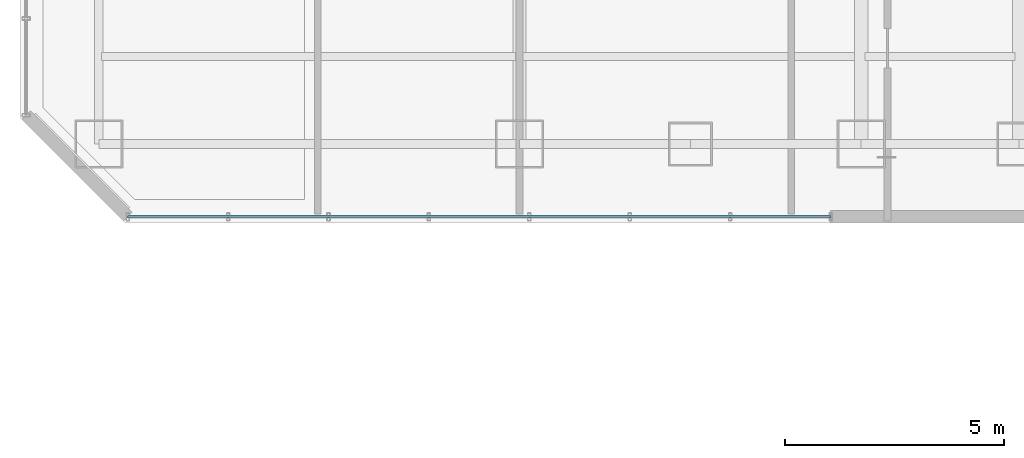
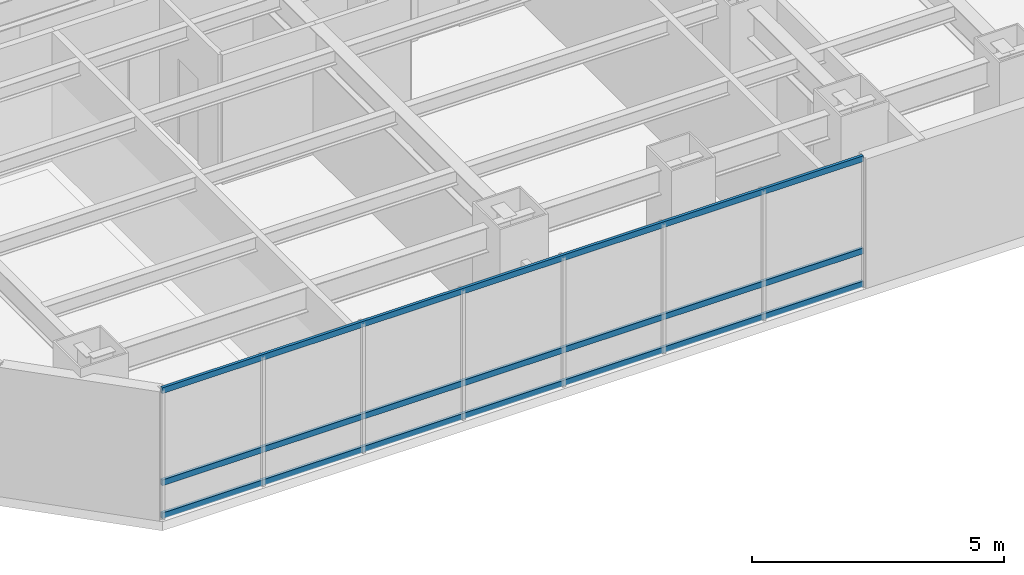
# One storey, part 3 of 38: 3 members, 1 element without a shape of its own.
"""IFC4 building model written with IfcOpenShell, lengths in metres."""

from ifc_helpers import new_model, si_unit, direction, frame, origin, origin_2d, place, context, subcontext, project, spatial, hollow_rectangle, extrude, material, layer, layer_set, material_profile, profile_set, type_object, element, aggregate, save


model = new_model("IFC4")

# Units and contexts
model_context = context("Model", 3, precision=1e-05, world=origin(), true_north=direction((0.0, 1.0)))
body_context = subcontext(model_context, "Body", "Model", "MODEL_VIEW")
ifc_project = project(units=[si_unit("LENGTHUNIT", "METRE"), si_unit("AREAUNIT", "SQUARE_METRE"), si_unit("VOLUMEUNIT", "CUBIC_METRE"), si_unit("PLANEANGLEUNIT", "RADIAN"), si_unit("MASSUNIT", "GRAM", prefix="KILO")], contexts=[model_context])

# Site, building, storey
site_placement = place(None, origin())
site = spatial("IfcSite", under=ifc_project, at=site_placement, CompositionType="ELEMENT")
building_placement = place(site_placement, origin())
building = spatial("IfcBuilding", under=site, at=building_placement, Name="Hatsunagi Terrace Concourse", CompositionType="ELEMENT")
storey_placement = place(building_placement, frame((0.0, 0.0, 60.050048828125)))
storey = spatial("IfcBuildingStorey", under=building, at=storey_placement, Name="L15", CompositionType="ELEMENT", Elevation=60.050048828125)

# Curtain wall, members
ifc_material_1 = material(Name="Anodised Aluminium Alloy 6063-T5", Category="aluminium")
ifc_layer = layer(ifc_material_1, 0.199951171875)
ifc_layer_set = layer_set([ifc_layer], Name="HotelFacade_CW02")
curtain_wall_type = type_object("IfcCurtainWallType", Name="HotelFacade_CW02", PredefinedType="NOTDEFINED", material=ifc_layer_set)
curtain_wall_placement = place(storey_placement, origin())
curtain_wall = element("IfcCurtainWall", 1, at=curtain_wall_placement, inside=storey, type_object=curtain_wall_type, Name="Unitised Curtain Wall CW-02 CW-L15-07", PredefinedType="NOTDEFINED")
ifc_material_2 = material(Name="Anodised Aluminium Alloy 6063-T5", Category="aluminium")
ifc_material_profile = material_profile(ifc_material_2, hollow_rectangle(XDim=0.06494140625, YDim=0.139892578125, WallThickness=0.00390625, at=origin_2d()), Name="ALU-TRN-140x65x4")
ifc_profile_set = profile_set([ifc_material_profile], Name="Anodised Aluminium Alloy 6063-T5")
member_type = type_object("IfcMemberType", Name="CurtainWallTransom_140x65", PredefinedType="USERDEFINED", material=ifc_profile_set)
member_1_placement = place(storey_placement, frame((18.5, 23.5400390625, 0.050048828125), z_axis=(-1.0, 0.0, 0.0), x_axis=(0.0, -1.0, 0.0)))
member_1 = element("IfcMember", 2, at=member_1_placement, type_object=member_type, Name="Curtain Wall Transom TRN-02", ObjectType="TRANSOM", PredefinedType="USERDEFINED", context=body_context, shape_type="SweptSolid", body=[
    extrude(hollow_rectangle(XDim=0.06494140625, YDim=0.139892578125, WallThickness=0.00390625, at=origin_2d()), origin(), (0.0, 0.0, 1.0), 16.0419921875),
])
member_2_placement = place(storey_placement, frame((18.5, 23.5400390625, 0.849853515625), z_axis=(-1.0, 0.0, 0.0), x_axis=(0.0, -1.0, 0.0)))
member_2 = element("IfcMember", 3, at=member_2_placement, type_object=member_type, Name="Curtain Wall Transom TRN-02", ObjectType="TRANSOM", PredefinedType="USERDEFINED", context=body_context, shape_type="SweptSolid", body=[
    extrude(hollow_rectangle(XDim=0.06494140625, YDim=0.139892578125, WallThickness=0.00390625, at=origin_2d()), origin(), (0.0, 0.0, 1.0), 16.0419921875),
])
member_3_placement = place(storey_placement, frame((18.5, 23.5400390625, 3.079833984375), z_axis=(-1.0, 0.0, 0.0), x_axis=(0.0, -1.0, 0.0)))
member_3 = element("IfcMember", 4, at=member_3_placement, type_object=member_type, Name="Curtain Wall Transom TRN-02", ObjectType="TRANSOM", PredefinedType="USERDEFINED", context=body_context, shape_type="SweptSolid", body=[
    extrude(hollow_rectangle(XDim=0.06494140625, YDim=0.139892578125, WallThickness=0.00390625, at=origin_2d()), origin(), (0.0, 0.0, 1.0), 16.0419921875),
])
aggregate(curtain_wall, [member_1, member_2, member_3])

save(model, "model.ifc")
